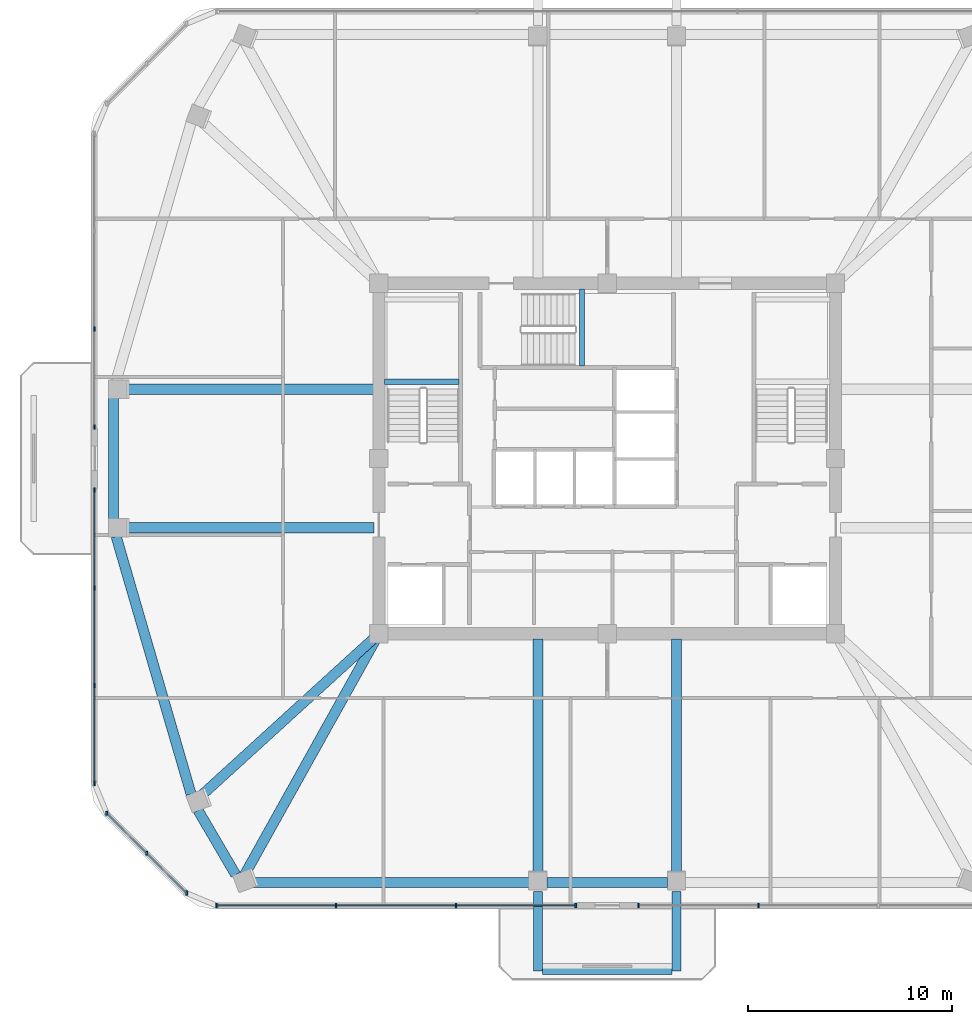
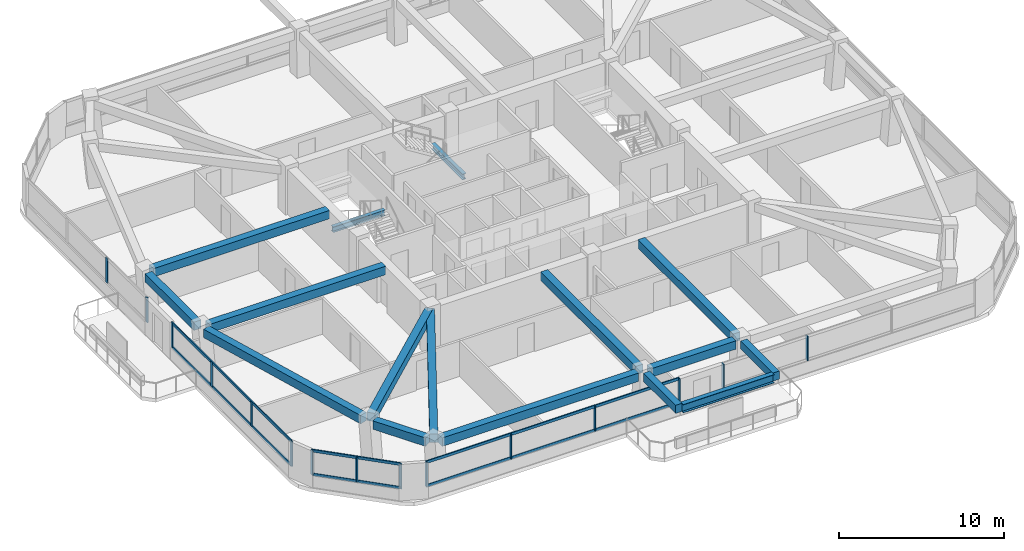
# One storey, part 2 of 13: 21 members, 16 beams, 5 elements without a shape of their own.
"""IFC4 building model written with IfcOpenShell, lengths in metres."""

from ifc_helpers import new_model, si_unit, derived_unit, direction, frame, origin, origin_2d, place, context, subcontext, project, spatial, rectangle, i_section, extrude, material, material_profile, profile_set, type_object, element, aggregate, save


model = new_model("IFC4")

# Units and contexts
model_context = context("Model", 3, precision=1e-05, world=origin(), true_north=direction((0.0, 1.0)))
body_context = subcontext(model_context, "Body", "Model", "MODEL_VIEW")
ifc_project = project(units=[si_unit("LENGTHUNIT", "METRE"), si_unit("AREAUNIT", "SQUARE_METRE"), si_unit("VOLUMEUNIT", "CUBIC_METRE"), si_unit("PLANEANGLEUNIT", "RADIAN"), si_unit("MASSUNIT", "GRAM", prefix="KILO"), derived_unit("THERMALTRANSMITTANCEUNIT", [(si_unit("POWERUNIT", "WATT"), 1), (si_unit("LENGTHUNIT", "METRE"), -2), (si_unit("THERMODYNAMICTEMPERATUREUNIT", "KELVIN"), -1)])], contexts=[model_context])

# Site, building, storey
site_placement = place(None, origin())
site = spatial("IfcSite", under=ifc_project, at=site_placement, CompositionType="ELEMENT")
building_placement = place(site_placement, origin())
building = spatial("IfcBuilding", under=site, at=building_placement, Name="Koralith Skygarden Medical Center", CompositionType="ELEMENT")
storey_placement = place(building_placement, frame((0.0, 0.0, 199.97998046875)))
storey = spatial("IfcBuildingStorey", under=building, at=storey_placement, Name="L51", CompositionType="ELEMENT", Elevation=199.97998046875)

# Curtain wall, members
ifc_material_1 = material(Name="Clear Laminated Glass", Category="glass")
curtain_wall_type = type_object("IfcCurtainWallType", Name="CW-5 Zone 4 Flare Biophilic Curtain Wall", PredefinedType="NOTDEFINED", material=ifc_material_1)
curtain_wall_1_placement = place(storey_placement, origin())
curtain_wall_1 = element("IfcCurtainWall", 1, at=curtain_wall_1_placement, inside=storey, type_object=curtain_wall_type, Name="Curtain Wall CW-L51-S-L", PredefinedType="NOTDEFINED")
ifc_material_2 = material(Name="Aluminium 6063-T6", Category="aluminium")
ifc_material_profile_1 = material_profile(ifc_material_2, rectangle(XDim=0.080078125, YDim=0.219970703125, at=origin_2d()), Name="MUL80X220")
ifc_profile_set_1 = profile_set([ifc_material_profile_1], Name="Aluminium 6063-T6")
member_type_1 = type_object("IfcMemberType", Name="CW-5 Extruded Mullion 80x220", PredefinedType="MULLION", material=ifc_profile_set_1)
member_1_placement = place(storey_placement, frame((17.826904296875, 3.97412109375, 0.85009765625), z_axis=(0.0, 0.0, 1.0), x_axis=(1.0, 0.0, 0.0)))
member_1 = element("IfcMember", 2, at=member_1_placement, type_object=member_type_1, Name="CW-L51-S-L Mullion 1", PredefinedType="MULLION", context=body_context, shape_type="SweptSolid", body=[
    extrude(rectangle(XDim=0.080078125, YDim=0.219970703125, at=origin_2d()), origin(), (0.0, 0.0, 1.0), 1.83984375),
])
member_2_placement = place(storey_placement, frame((23.7041015625, 3.97412109375, 0.85009765625), z_axis=(0.0, 0.0, 1.0), x_axis=(1.0, 0.0, 0.0)))
member_2 = element("IfcMember", 3, at=member_2_placement, type_object=member_type_1, Name="CW-L51-S-L Mullion 2", PredefinedType="MULLION", context=body_context, shape_type="SweptSolid", body=[
    extrude(rectangle(XDim=0.080078125, YDim=0.219970703125, at=origin_2d()), origin(), (0.0, 0.0, 1.0), 1.83984375),
])
member_3_placement = place(storey_placement, frame((29.58203125, 3.97412109375, 0.85009765625), z_axis=(0.0, 0.0, 1.0), x_axis=(1.0, 0.0, 0.0)))
member_3 = element("IfcMember", 4, at=member_3_placement, type_object=member_type_1, Name="CW-L51-S-L Mullion 3", PredefinedType="MULLION", context=body_context, shape_type="SweptSolid", body=[
    extrude(rectangle(XDim=0.080078125, YDim=0.219970703125, at=origin_2d()), origin(), (0.0, 0.0, 1.0), 1.83984375),
])
member_4_placement = place(storey_placement, frame((35.458984375, 3.97412109375, 0.85009765625), z_axis=(0.0, 0.0, 1.0), x_axis=(1.0, 0.0, 0.0)))
member_4 = element("IfcMember", 5, at=member_4_placement, type_object=member_type_1, Name="CW-L51-S-L Mullion 4", PredefinedType="MULLION", context=body_context, shape_type="SweptSolid", body=[
    extrude(rectangle(XDim=0.080078125, YDim=0.219970703125, at=origin_2d()), origin(), (0.0, 0.0, 1.0), 1.83984375),
])

curtain_wall_2_placement = place(storey_placement, origin())
curtain_wall_2 = element("IfcCurtainWall", 6, at=curtain_wall_2_placement, inside=storey, type_object=curtain_wall_type, Name="Curtain Wall CW-L51-S-R", PredefinedType="NOTDEFINED")
member_5_placement = place(storey_placement, frame((38.5390625, 3.97412109375, 0.85009765625), z_axis=(0.0, 0.0, 1.0), x_axis=(1.0, 0.0, 0.0)))
member_5 = element("IfcMember", 7, at=member_5_placement, type_object=member_type_1, Name="CW-L51-S-R Mullion 1", PredefinedType="MULLION", context=body_context, shape_type="SweptSolid", body=[
    extrude(rectangle(XDim=0.080078125, YDim=0.219970703125, at=origin_2d()), origin(), (0.0, 0.0, 1.0), 1.83984375),
])
member_6_placement = place(storey_placement, frame((44.4169921875, 3.97412109375, 0.85009765625), z_axis=(0.0, 0.0, 1.0), x_axis=(1.0, 0.0, 0.0)))
member_6 = element("IfcMember", 8, at=member_6_placement, type_object=member_type_1, Name="CW-L51-S-R Mullion 2", PredefinedType="MULLION", context=body_context, shape_type="SweptSolid", body=[
    extrude(rectangle(XDim=0.080078125, YDim=0.219970703125, at=origin_2d()), origin(), (0.0, 0.0, 1.0), 1.83984375),
])
aggregate(curtain_wall_2, [member_5, member_6])

curtain_wall_3_placement = place(storey_placement, origin())
curtain_wall_3 = element("IfcCurtainWall", 9, at=curtain_wall_3_placement, inside=storey, type_object=curtain_wall_type, Name="Curtain Wall CW-L51-W-L", PredefinedType="NOTDEFINED")
member_7_placement = place(storey_placement, frame((11.85205078125, 32.243896484375, 0.85009765625), z_axis=(0.0, 0.0, 1.0), x_axis=(1.0, 0.0, 0.0)))
member_7 = element("IfcMember", 10, at=member_7_placement, type_object=member_type_1, Name="CW-L51-W-L Mullion 3", PredefinedType="MULLION", context=body_context, shape_type="SweptSolid", body=[
    extrude(rectangle(XDim=0.080078125, YDim=0.219970703125, at=origin_2d()), origin(), (0.0, 0.0, 1.0), 1.83984375),
])
member_8_placement = place(storey_placement, frame((11.85205078125, 27.44091796875, 0.85009765625), z_axis=(0.0, 0.0, 1.0), x_axis=(1.0, 0.0, 0.0)))
member_8 = element("IfcMember", 11, at=member_8_placement, type_object=member_type_1, Name="CW-L51-W-L Mullion 4", PredefinedType="MULLION", context=body_context, shape_type="SweptSolid", body=[
    extrude(rectangle(XDim=0.080078125, YDim=0.219970703125, at=origin_2d()), origin(), (0.0, 0.0, 1.0), 1.83984375),
])
aggregate(curtain_wall_3, [member_7, member_8])

curtain_wall_4_placement = place(storey_placement, origin())
curtain_wall_4 = element("IfcCurtainWall", 12, at=curtain_wall_4_placement, inside=storey, type_object=curtain_wall_type, Name="Curtain Wall CW-L51-W-R", PredefinedType="NOTDEFINED")
member_9_placement = place(storey_placement, frame((11.85205078125, 24.361083984375, 0.85009765625), z_axis=(0.0, 0.0, 1.0), x_axis=(1.0, 0.0, 0.0)))
member_9 = element("IfcMember", 13, at=member_9_placement, type_object=member_type_1, Name="CW-L51-W-R Mullion 1", PredefinedType="MULLION", context=body_context, shape_type="SweptSolid", body=[
    extrude(rectangle(XDim=0.080078125, YDim=0.219970703125, at=origin_2d()), origin(), (0.0, 0.0, 1.0), 1.83984375),
])
member_10_placement = place(storey_placement, frame((11.85205078125, 19.556884765625, 0.85009765625), z_axis=(0.0, 0.0, 1.0), x_axis=(1.0, 0.0, 0.0)))
member_10 = element("IfcMember", 14, at=member_10_placement, type_object=member_type_1, Name="CW-L51-W-R Mullion 2", PredefinedType="MULLION", context=body_context, shape_type="SweptSolid", body=[
    extrude(rectangle(XDim=0.080078125, YDim=0.219970703125, at=origin_2d()), origin(), (0.0, 0.0, 1.0), 1.83984375),
])
member_11_placement = place(storey_placement, frame((11.85205078125, 14.7529296875, 0.85009765625), z_axis=(0.0, 0.0, 1.0), x_axis=(1.0, 0.0, 0.0)))
member_11 = element("IfcMember", 15, at=member_11_placement, type_object=member_type_1, Name="CW-L51-W-R Mullion 3", PredefinedType="MULLION", context=body_context, shape_type="SweptSolid", body=[
    extrude(rectangle(XDim=0.080078125, YDim=0.219970703125, at=origin_2d()), origin(), (0.0, 0.0, 1.0), 1.83984375),
])
member_12_placement = place(storey_placement, frame((11.85205078125, 9.948974609375, 0.85009765625), z_axis=(0.0, 0.0, 1.0), x_axis=(1.0, 0.0, 0.0)))
member_12 = element("IfcMember", 16, at=member_12_placement, type_object=member_type_1, Name="CW-L51-W-R Mullion 4", PredefinedType="MULLION", context=body_context, shape_type="SweptSolid", body=[
    extrude(rectangle(XDim=0.080078125, YDim=0.219970703125, at=origin_2d()), origin(), (0.0, 0.0, 1.0), 1.83984375),
])

curtain_wall_5_placement = place(storey_placement, origin())
curtain_wall_5 = element("IfcCurtainWall", 17, at=curtain_wall_5_placement, inside=storey, type_object=curtain_wall_type, Name="Curtain Wall CW-L51-SW", PredefinedType="NOTDEFINED")
member_13_placement = place(storey_placement, frame((12.452880859375, 8.498046875, 0.85009765625), z_axis=(0.0, 0.0, 1.0), x_axis=(1.0, 0.0, 0.0)))
member_13 = element("IfcMember", 18, at=member_13_placement, type_object=member_type_1, Name="CW-L51-SW Mullion 1", PredefinedType="MULLION", context=body_context, shape_type="SweptSolid", body=[
    extrude(rectangle(XDim=0.080078125, YDim=0.219970703125, at=origin_2d()), origin(), (0.0, 0.0, 1.0), 1.83984375),
])
member_14_placement = place(storey_placement, frame((14.4150390625, 6.535888671875, 0.85009765625), z_axis=(0.0, 0.0, 1.0), x_axis=(1.0, 0.0, 0.0)))
member_14 = element("IfcMember", 19, at=member_14_placement, type_object=member_type_1, Name="CW-L51-SW Mullion 2", PredefinedType="MULLION", context=body_context, shape_type="SweptSolid", body=[
    extrude(rectangle(XDim=0.080078125, YDim=0.219970703125, at=origin_2d()), origin(), (0.0, 0.0, 1.0), 1.83984375),
])
member_15_placement = place(storey_placement, frame((16.3759765625, 4.574951171875, 0.85009765625), z_axis=(0.0, 0.0, 1.0), x_axis=(1.0, 0.0, 0.0)))
member_15 = element("IfcMember", 20, at=member_15_placement, type_object=member_type_1, Name="CW-L51-SW Mullion 3", PredefinedType="MULLION", context=body_context, shape_type="SweptSolid", body=[
    extrude(rectangle(XDim=0.080078125, YDim=0.219970703125, at=origin_2d()), origin(), (0.0, 0.0, 1.0), 1.83984375),
])

# Member
ifc_material_profile_2 = material_profile(ifc_material_2, rectangle(XDim=0.074951171875, YDim=0.197998046875, at=origin_2d()), Name="TRN75X198")
ifc_profile_set_2 = profile_set([ifc_material_profile_2], Name="Aluminium 6063-T6")
member_type_2 = type_object("IfcMemberType", Name="CW-5 Thermal Transom 75x198", PredefinedType="USERDEFINED", material=ifc_profile_set_2)
member_16_placement = place(storey_placement, frame((17.826904296875, 3.97412109375, 0.89990234375), z_axis=(1.0, 0.0, 0.0), x_axis=(0.0, 1.0, 0.0)))
member_16 = element("IfcMember", 21, at=member_16_placement, type_object=member_type_2, Name="CW-L51-S-L Transom 1", ObjectType="TRANSOM", PredefinedType="USERDEFINED", context=body_context, shape_type="SweptSolid", body=[
    extrude(rectangle(XDim=0.074951171875, YDim=0.197998046875, at=origin_2d()), origin(), (0.0, 0.0, 1.0), 17.632080078125),
])

member_17_placement = place(storey_placement, frame((17.826904296875, 3.97412109375, 2.64013671875), z_axis=(1.0, 0.0, 0.0), x_axis=(0.0, 1.0, 0.0)))
member_17 = element("IfcMember", 22, at=member_17_placement, type_object=member_type_2, Name="CW-L51-S-L Transom 2", ObjectType="TRANSOM", PredefinedType="USERDEFINED", context=body_context, shape_type="SweptSolid", body=[
    extrude(rectangle(XDim=0.074951171875, YDim=0.197998046875, at=origin_2d()), origin(), (0.0, 0.0, 1.0), 17.632080078125),
])

aggregate(curtain_wall_1, [member_1, member_2, member_3, member_4, member_16, member_17])

member_18_placement = place(storey_placement, frame((11.85205078125, 24.361083984375, 0.89990234375), z_axis=(0.0, -1.0, 0.0), x_axis=(1.0, 0.0, 0.0)))
member_18 = element("IfcMember", 23, at=member_18_placement, type_object=member_type_2, Name="CW-L51-W-R Transom 1", ObjectType="TRANSOM", PredefinedType="USERDEFINED", context=body_context, shape_type="SweptSolid", body=[
    extrude(rectangle(XDim=0.074951171875, YDim=0.197998046875, at=origin_2d()), origin(), (0.0, 0.0, 1.0), 14.412109375),
])

member_19_placement = place(storey_placement, frame((11.85205078125, 24.361083984375, 2.64013671875), z_axis=(0.0, -1.0, 0.0), x_axis=(1.0, 0.0, 0.0)))
member_19 = element("IfcMember", 24, at=member_19_placement, type_object=member_type_2, Name="CW-L51-W-R Transom 2", ObjectType="TRANSOM", PredefinedType="USERDEFINED", context=body_context, shape_type="SweptSolid", body=[
    extrude(rectangle(XDim=0.074951171875, YDim=0.197998046875, at=origin_2d()), origin(), (0.0, 0.0, 1.0), 14.412109375),
])

aggregate(curtain_wall_4, [member_9, member_10, member_11, member_12, member_18, member_19])

member_20_placement = place(storey_placement, frame((12.452880859375, 8.498046875, 0.89990234375), z_axis=(0.707106781187, -0.707106781187, 0.0), x_axis=(0.707106781187, 0.707106781187, 0.0)))
member_20 = element("IfcMember", 25, at=member_20_placement, type_object=member_type_2, Name="CW-L51-SW Transom 1", ObjectType="TRANSOM", PredefinedType="USERDEFINED", context=body_context, shape_type="SweptSolid", body=[
    extrude(rectangle(XDim=0.074951171875, YDim=0.197998046875, at=origin_2d()), origin(), (0.0, 0.0, 1.0), 5.548095703125),
])

member_21_placement = place(storey_placement, frame((12.452880859375, 8.498046875, 2.64013671875), z_axis=(0.707106781187, -0.707106781187, 0.0), x_axis=(0.707106781187, 0.707106781187, 0.0)))
member_21 = element("IfcMember", 26, at=member_21_placement, type_object=member_type_2, Name="CW-L51-SW Transom 2", ObjectType="TRANSOM", PredefinedType="USERDEFINED", context=body_context, shape_type="SweptSolid", body=[
    extrude(rectangle(XDim=0.074951171875, YDim=0.197998046875, at=origin_2d()), origin(), (0.0, 0.0, 1.0), 5.548095703125),
])

aggregate(curtain_wall_5, [member_13, member_14, member_15, member_20, member_21])

# Beams
ifc_material_3 = material(Name="Steel ASTM A992 Grade 50", Category="steel")
ifc_material_profile_3 = material_profile(ifc_material_3, i_section(OverallWidth=0.326904296875, OverallDepth=0.6220703125, WebThickness=0.015380859375, FlangeThickness=0.0244140625, at=origin_2d()), Name="W24X131")
ifc_profile_set_3 = profile_set([ifc_material_profile_3], Name="Steel ASTM A992 Grade 50")
beam_type_1 = type_object("IfcBeamType", Name="Cantilever Tie Beam W24X131", PredefinedType="BEAM", material=ifc_profile_set_3)
beam_1_placement = place(storey_placement, frame((33.820068359375, 0.7490234375, 3.029052734375), z_axis=(1.0, 0.0, 0.0), x_axis=(0.0, 1.0, 0.0)))
element("IfcBeam", 27, at=beam_1_placement, inside=storey, type_object=beam_type_1, Name="L52 S Balcony Tip Tie Beam", PredefinedType="BEAM", context=body_context, shape_type="SweptSolid", body=[
    extrude(i_section(OverallWidth=0.326904296875, OverallDepth=0.6220703125, WebThickness=0.015380859375, FlangeThickness=0.0244140625, at=origin_2d()), origin(), (0.0, 0.0, 1.0), 6.35986328125),
])
ifc_material_profile_4 = material_profile(ifc_material_3, i_section(OverallWidth=0.260009765625, OverallDepth=0.4150390625, WebThickness=0.010009765625, FlangeThickness=0.016845703125, at=origin_2d()), Name="W16X67")
ifc_profile_set_4 = profile_set([ifc_material_profile_4], Name="Steel ASTM A992 Grade 50")
beam_type_2 = type_object("IfcBeamType", Name="Clinical Floor Joist W16X67", PredefinedType="JOIST", material=ifc_profile_set_4)
beam_2_placement = place(storey_placement, frame((26.080078125, 29.659912109375, 1.39306640625), z_axis=(1.0, 0.0, 0.0), x_axis=(0.0, 1.0, 0.0)))
element("IfcBeam", 28, at=beam_2_placement, inside=storey, type_object=beam_type_2, Name="L51 Stair ST1 Half-Landing Support Beam 1A", PredefinedType="JOIST", context=body_context, shape_type="SweptSolid", body=[
    extrude(i_section(OverallWidth=0.260009765625, OverallDepth=0.4150390625, WebThickness=0.010009765625, FlangeThickness=0.016845703125, at=origin_2d()), origin(), (0.0, 0.0, 1.0), 3.639892578125),
])
beam_3_placement = place(storey_placement, frame((35.760009765625, 30.43994140625, 1.39306640625), z_axis=(0.0, 1.0, 0.0), x_axis=(-1.0, 0.0, 0.0)))
element("IfcBeam", 29, at=beam_3_placement, inside=storey, type_object=beam_type_2, Name="L51 Stair ST3 Half-Landing Support Beam 1A", PredefinedType="JOIST", context=body_context, shape_type="SweptSolid", body=[
    extrude(i_section(OverallWidth=0.260009765625, OverallDepth=0.4150390625, WebThickness=0.010009765625, FlangeThickness=0.016845703125, at=origin_2d()), origin(), (0.0, 0.0, 1.0), 3.780029296875),
])
ifc_material_4 = material(Name="Concrete C45/55", Category="concrete")
ifc_material_profile_5 = material_profile(ifc_material_4, rectangle(XDim=0.449951171875, YDim=0.60009765625, at=origin_2d()), Name="RCB450X600")
ifc_profile_set_5 = profile_set([ifc_material_profile_5], Name="Concrete C45/55")
beam_type_3 = type_object("IfcBeamType", Name="Planted Balcony Cantilever Beam RCB450X600", PredefinedType="BEAM", material=ifc_profile_set_5)
for number, where, z_axis, x_axis, name in (
    (30, (33.60009765625, 4.6689453125, 3.0400390625), (0.0, -1.0, 0.0), (1.0, 0.0, 0.0), "L52 S Balcony Cantilever Beam A"),
    (31, (40.39990234375, 4.6689453125, 3.0400390625), (0.0, -1.0, 0.0), (1.0, 0.0, 0.0), "L52 S Balcony Cantilever Beam B"),
):
    element("IfcBeam", number, at=place(storey_placement, frame(where, z_axis=z_axis, x_axis=x_axis)), inside=storey, type_object=beam_type_3, Name=name, PredefinedType="BEAM", context=body_context, shape_type="SweptSolid", body=[
        extrude(rectangle(XDim=0.449951171875, YDim=0.60009765625, at=origin_2d()), origin(), (0.0, 0.0, 1.0), 3.919921875),
    ])
ifc_material_profile_6 = material_profile(ifc_material_4, rectangle(XDim=0.5, YDim=0.6201171875, at=origin_2d()), Name="RCB500X620")
ifc_profile_set_6 = profile_set([ifc_material_profile_6], Name="Concrete C45/55")
beam_type_4 = type_object("IfcBeamType", Name="Upper Radial Collector Beam RCB500X620", PredefinedType="BEAM", material=ifc_profile_set_6)
beam_4_placement = place(storey_placement, frame((25.550048828125, 22.5, 3.010009765625), z_axis=(-1.0, 0.0, 0.0), x_axis=(0.0, -1.0, 0.0)))
element("IfcBeam", 32, at=beam_4_placement, inside=storey, type_object=beam_type_4, Name="L51 Radial Collector Beam RB-01", PredefinedType="BEAM", context=body_context, shape_type="SweptSolid", body=[
    extrude(rectangle(XDim=0.5, YDim=0.6201171875, at=origin_2d()), origin(), (0.0, 0.0, 1.0), 12.321044921875),
])
beam_5_placement = place(storey_placement, frame((25.614990234375, 17.132080078125, 3.010009765625), z_axis=(-0.7392077394, -0.673477481443, 0.0), x_axis=(0.673477481443, -0.7392077394, 0.0)))
element("IfcBeam", 33, at=beam_5_placement, inside=storey, type_object=beam_type_4, Name="L51 Radial Collector Beam RB-02", PredefinedType="BEAM", context=body_context, shape_type="SweptSolid", body=[
    extrude(rectangle(XDim=0.5, YDim=0.6201171875, at=origin_2d()), origin(), (0.0, 0.0, 1.0), 11.607177734375),
])
beam_6_placement = place(storey_placement, frame((25.677978515625, 17.08203125, 3.010009765625), z_axis=(-0.486732224919, -0.873551224157, 0.0), x_axis=(0.873551224157, -0.486732224919, 0.0)))
element("IfcBeam", 34, at=beam_6_placement, inside=storey, type_object=beam_type_4, Name="L51 Radial Collector Beam RB-03", PredefinedType="BEAM", context=body_context, shape_type="SweptSolid", body=[
    extrude(rectangle(XDim=0.5, YDim=0.6201171875, at=origin_2d()), origin(), (0.0, 0.0, 1.0), 13.278076171875),
])
for number, where, z_axis, x_axis, name in (
    (35, (33.60009765625, 17.050048828125, 3.010009765625), (0.0, -1.0, 0.0), (1.0, 0.0, 0.0), "L51 Radial Collector Beam RB-04"),
    (36, (40.39990234375, 17.050048828125, 3.010009765625), (0.0, -1.0, 0.0), (1.0, 0.0, 0.0), "L51 Radial Collector Beam RB-05"),
):
    element("IfcBeam", number, at=place(storey_placement, frame(where, z_axis=z_axis, x_axis=x_axis)), inside=storey, type_object=beam_type_4, Name=name, PredefinedType="BEAM", context=body_context, shape_type="SweptSolid", body=[
        extrude(rectangle(XDim=0.5, YDim=0.6201171875, at=origin_2d()), origin(), (0.0, 0.0, 1.0), 11.510986328125),
    ])
beam_7_placement = place(storey_placement, frame((25.550048828125, 29.300048828125, 3.010009765625), z_axis=(-1.0, 0.0, 0.0), x_axis=(0.0, -1.0, 0.0)))
element("IfcBeam", 37, at=beam_7_placement, inside=storey, type_object=beam_type_4, Name="L51 Radial Collector Beam RB-16", PredefinedType="BEAM", context=body_context, shape_type="SweptSolid", body=[
    extrude(rectangle(XDim=0.5, YDim=0.6201171875, at=origin_2d()), origin(), (0.0, 0.0, 1.0), 12.321044921875),
])
ifc_material_profile_7 = material_profile(ifc_material_4, rectangle(XDim=0.5, YDim=0.6201171875, at=origin_2d()), Name="RCB500X620")
ifc_profile_set_7 = profile_set([ifc_material_profile_7], Name="Concrete C45/55")
beam_type_5 = type_object("IfcBeamType", Name="Zone 4-5 Spandrel Beam RCB500X620", PredefinedType="SPANDREL", material=ifc_profile_set_7)
beam_8_placement = place(storey_placement, frame((12.912109375, 22.077880859375, 3.010009765625), z_axis=(0.27923127108, -0.960223878713, 0.0), x_axis=(0.960223878713, 0.27923127108, 0.0)))
element("IfcBeam", 38, at=beam_8_placement, inside=storey, type_object=beam_type_5, Name="L51 Perimeter Spandrel Beam SP-01", PredefinedType="SPANDREL", context=body_context, shape_type="SweptSolid", body=[
    extrude(rectangle(XDim=0.5, YDim=0.6201171875, at=origin_2d()), origin(), (0.0, 0.0, 1.0), 13.160400390625),
])
beam_9_placement = place(storey_placement, frame((16.931884765625, 8.638916015625, 3.010009765625), z_axis=(0.504662936205, -0.863316466205, 0.0), x_axis=(0.863316466205, 0.504662936205, 0.0)))
element("IfcBeam", 39, at=beam_9_placement, inside=storey, type_object=beam_type_5, Name="L51 Perimeter Spandrel Beam SP-02", PredefinedType="SPANDREL", context=body_context, shape_type="SweptSolid", body=[
    extrude(rectangle(XDim=0.5, YDim=0.6201171875, at=origin_2d()), origin(), (0.0, 0.0, 1.0), 3.66015625),
])
beam_10_placement = place(storey_placement, frame((19.44091796875, 5.09912109375, 3.010009765625), z_axis=(1.0, 0.0, 0.0), x_axis=(0.0, 1.0, 0.0)))
element("IfcBeam", 40, at=beam_10_placement, inside=storey, type_object=beam_type_5, Name="L51 Perimeter Spandrel Beam SP-03", PredefinedType="SPANDREL", context=body_context, shape_type="SweptSolid", body=[
    extrude(rectangle(XDim=0.5, YDim=0.6201171875, at=origin_2d()), origin(), (0.0, 0.0, 1.0), 13.718994140625),
])
beam_11_placement = place(storey_placement, frame((34.0400390625, 5.09912109375, 3.010009765625), z_axis=(1.0, 0.0, 0.0), x_axis=(0.0, 1.0, 0.0)))
element("IfcBeam", 41, at=beam_11_placement, inside=storey, type_object=beam_type_5, Name="L51 Perimeter Spandrel Beam SP-04", PredefinedType="SPANDREL", context=body_context, shape_type="SweptSolid", body=[
    extrude(rectangle(XDim=0.5, YDim=0.6201171875, at=origin_2d()), origin(), (0.0, 0.0, 1.0), 5.919921875),
])
beam_12_placement = place(storey_placement, frame((12.7890625, 28.860107421875, 3.010009765625), z_axis=(0.0, -1.0, 0.0), x_axis=(1.0, 0.0, 0.0)))
element("IfcBeam", 42, at=beam_12_placement, inside=storey, type_object=beam_type_5, Name="L51 Perimeter Spandrel Beam SP-16", PredefinedType="SPANDREL", context=body_context, shape_type="SweptSolid", body=[
    extrude(rectangle(XDim=0.5, YDim=0.6201171875, at=origin_2d()), origin(), (0.0, 0.0, 1.0), 5.920166015625),
])

save(model, "model.ifc")
